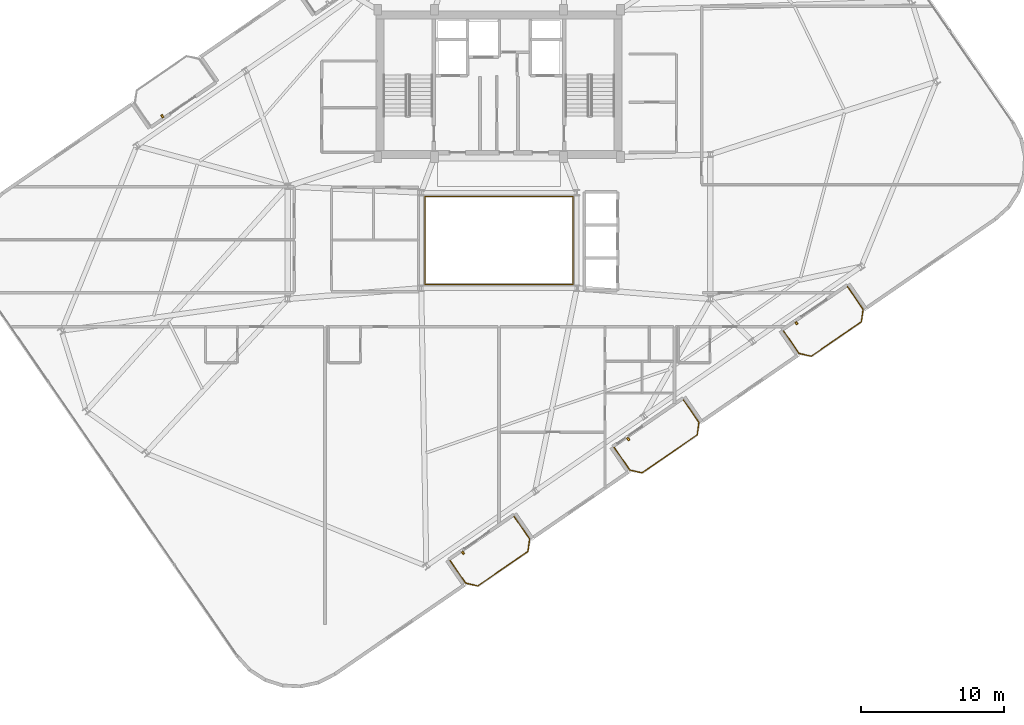
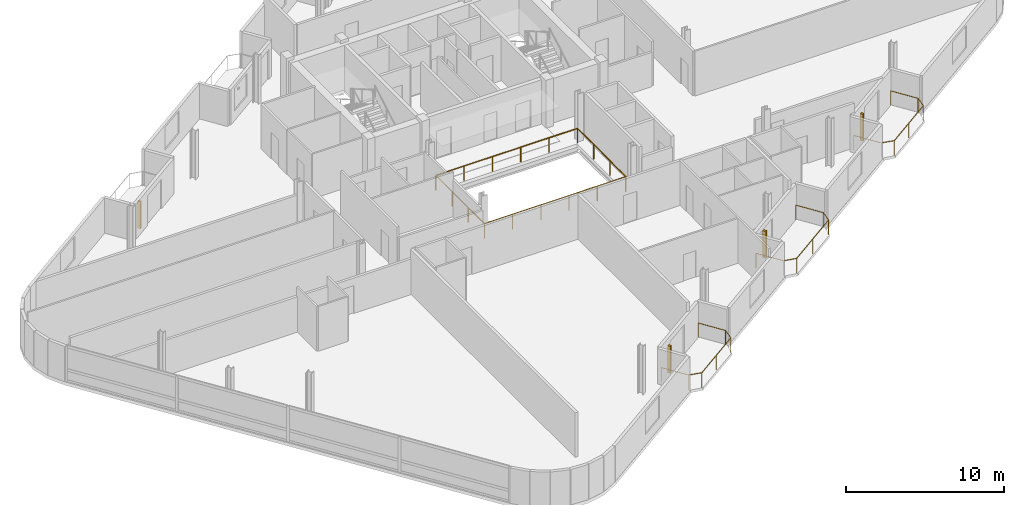
# One storey, part 19 of 21: 5 railings, 4 shading devices.
"""IFC4 building model written with IfcOpenShell, lengths in metres."""

from ifc_helpers import new_model, si_unit, direction, frame, origin, origin_2d, place, context, subcontext, project, spatial, rectangle, circle, extrude, source, transform, mapped, material, type_object, element, save


model = new_model("IFC4")

# Units and contexts
model_context = context("Model", 3, precision=1e-05, world=origin(), true_north=direction((0.0, 1.0)))
body_context = subcontext(model_context, "Body", "Model", "MODEL_VIEW")
ifc_project = project(units=[si_unit("LENGTHUNIT", "METRE"), si_unit("AREAUNIT", "SQUARE_METRE"), si_unit("VOLUMEUNIT", "CUBIC_METRE"), si_unit("PLANEANGLEUNIT", "RADIAN"), si_unit("MASSUNIT", "GRAM", prefix="KILO")], contexts=[model_context])

# Site, building, storey
site_placement = place(None, origin())
site = spatial("IfcSite", under=ifc_project, at=site_placement, CompositionType="ELEMENT")
building_placement = place(site_placement, origin())
building = spatial("IfcBuilding", under=site, at=building_placement, Name="Varnelok Gate Tower", CompositionType="ELEMENT")
storey_placement = place(building_placement, frame((0.0, 0.0, 269.300048828125)))
storey = spatial("IfcBuildingStorey", under=building, at=storey_placement, Name="L69", CompositionType="ELEMENT", Elevation=269.300048828125)

# Railings
ifc_material_1 = material(Name="Tempered Laminated Balustrade Glass", Category="glass")
railing_type_1 = type_object("IfcRailingType", Name="RL-ATR-GUARD1150", PredefinedType="GUARDRAIL", material=ifc_material_1)
railing_1_placement = place(storey_placement, frame((34.02001953125, 25.929931640625, 0.0)))
element("IfcRailing", 1, at=railing_1_placement, inside=storey, type_object=railing_type_1, Name="L69 Internal Atrium South-West Guardrail", PredefinedType="GUARDRAIL", context=body_context, shape_type="SweptSolid", body=[
    extrude(circle(Radius=0.02392578125, at=origin_2d()), frame((0.0, 0.0, 1.1259765625), z_axis=(0.0, -1.0, 0.0), x_axis=(1.0, 0.0, 0.0)), (0.0, 0.0, 1.0), 6.10986328125),
    extrude(circle(Radius=0.02392578125, at=origin_2d()), frame((0.0, -6.10986328125, 1.1259765625), z_axis=(1.0, 0.0, 0.0), x_axis=(0.0, 1.0, 0.0)), (0.0, 0.0, 1.0), 10.31005859375),
    extrude(circle(Radius=0.02099609375, at=origin_2d()), origin(), (0.0, 0.0, 1.0), 1.101806640625),
    extrude(circle(Radius=0.02099609375, at=origin_2d()), frame((0.0, -2.03662109375, 0.0)), (0.0, 0.0, 1.0), 1.101806640625),
    extrude(circle(Radius=0.02099609375, at=origin_2d()), frame((0.0, -4.0732421875, 0.0)), (0.0, 0.0, 1.0), 1.101806640625),
    extrude(circle(Radius=0.02099609375, at=origin_2d()), frame((0.0, -6.10986328125, 0.0)), (0.0, 0.0, 1.0), 1.101806640625),
    extrude(circle(Radius=0.02099609375, at=origin_2d()), frame((2.06201171875, -6.10986328125, 0.0)), (0.0, 0.0, 1.0), 1.101806640625),
    extrude(circle(Radius=0.02099609375, at=origin_2d()), frame((4.1240234375, -6.10986328125, 0.0)), (0.0, 0.0, 1.0), 1.101806640625),
    extrude(circle(Radius=0.02099609375, at=origin_2d()), frame((6.18603515625, -6.10986328125, 0.0)), (0.0, 0.0, 1.0), 1.101806640625),
    extrude(circle(Radius=0.02099609375, at=origin_2d()), frame((8.248046875, -6.10986328125, 0.0)), (0.0, 0.0, 1.0), 1.101806640625),
    extrude(circle(Radius=0.02099609375, at=origin_2d()), frame((10.31005859375, -6.10986328125, 0.0)), (0.0, 0.0, 1.0), 1.101806640625),
])
railing_2_placement = place(storey_placement, frame((44.3798828125, 19.820068359375, 0.0)))
element("IfcRailing", 2, at=railing_2_placement, inside=storey, type_object=railing_type_1, Name="L69 Internal Atrium North-East Guardrail", PredefinedType="GUARDRAIL", context=body_context, shape_type="SweptSolid", body=[
    extrude(circle(Radius=0.02392578125, at=origin_2d()), frame((0.0, 0.0, 1.1259765625), z_axis=(0.0, 1.0, 0.0), x_axis=(-1.0, 0.0, 0.0)), (0.0, 0.0, 1.0), 6.159912109375),
    extrude(circle(Radius=0.02392578125, at=origin_2d()), frame((0.0, 6.159912109375, 1.1259765625), z_axis=(-1.0, 0.0, 0.0), x_axis=(0.0, -1.0, 0.0)), (0.0, 0.0, 1.0), 10.35986328125),
    extrude(circle(Radius=0.02099609375, at=origin_2d()), origin(), (0.0, 0.0, 1.0), 1.101806640625),
    extrude(circle(Radius=0.02099609375, at=origin_2d()), frame((0.0, 2.05322265625, 0.0)), (0.0, 0.0, 1.0), 1.101806640625),
    extrude(circle(Radius=0.02099609375, at=origin_2d()), frame((0.0, 4.106689453125, 0.0)), (0.0, 0.0, 1.0), 1.101806640625),
    extrude(circle(Radius=0.02099609375, at=origin_2d()), frame((0.0, 6.159912109375, 0.0)), (0.0, 0.0, 1.0), 1.101806640625),
    extrude(circle(Radius=0.02099609375, at=origin_2d()), frame((-2.072021484375, 6.159912109375, 0.0)), (0.0, 0.0, 1.0), 1.101806640625),
    extrude(circle(Radius=0.02099609375, at=origin_2d()), frame((-4.14404296875, 6.159912109375, 0.0)), (0.0, 0.0, 1.0), 1.101806640625),
    extrude(circle(Radius=0.02099609375, at=origin_2d()), frame((-6.2158203125, 6.159912109375, 0.0)), (0.0, 0.0, 1.0), 1.101806640625),
    extrude(circle(Radius=0.02099609375, at=origin_2d()), frame((-8.287841796875, 6.159912109375, 0.0)), (0.0, 0.0, 1.0), 1.101806640625),
    extrude(circle(Radius=0.02099609375, at=origin_2d()), frame((-10.35986328125, 6.159912109375, 0.0)), (0.0, 0.0, 1.0), 1.101806640625),
])
ifc_material_2 = material(Name="Low-E Laminated Double Glazing IGU", Category="glass")
railing_type_2 = type_object("IfcRailingType", Name="RL-BALC-1150", PredefinedType="BALUSTRADE", material=ifc_material_2)
railing_3_placement = place(storey_placement, frame((35.77099609375, 0.473876953125, 0.0)))
element("IfcRailing", 3, at=railing_3_placement, inside=storey, type_object=railing_type_2, Name="L69 South Terrace Balustrade 1", PredefinedType="BALUSTRADE", context=body_context, shape_type="SweptSolid", body=[
    extrude(circle(Radius=0.02392578125, at=origin_2d()), frame((0.0, 0.0, 1.1259765625), z_axis=(0.567224752248, -0.823563039747, 0.0), x_axis=(0.823563039747, 0.567224752248, 0.0)), (0.0, 0.0, 1.0), 1.920166015625),
    extrude(circle(Radius=0.02392578125, at=origin_2d()), frame((1.089111328125, -1.581298828125, 1.1259765625), z_axis=(0.973526462254, -0.228574336467, 0.0), x_axis=(0.228574336467, 0.973526462254, 0.0)), (0.0, 0.0, 1.0), 0.8779296875),
    extrude(circle(Radius=0.02392578125, at=origin_2d()), frame((1.94384765625, -1.781982421875, 1.1259765625), z_axis=(0.823512353028, 0.5672983381, 0.0), x_axis=(-0.5672983381, 0.823512353028, 0.0)), (0.0, 0.0, 1.0), 4.26708984375),
    extrude(circle(Radius=0.02392578125, at=origin_2d()), frame((5.457763671875, 0.638671875, 1.1259765625), z_axis=(0.133475040405, 0.991052175008, 0.0), x_axis=(-0.991052175008, 0.133475040405, 0.0)), (0.0, 0.0, 1.0), 0.8779296875),
    extrude(circle(Radius=0.02392578125, at=origin_2d()), frame((5.574951171875, 1.5087890625, 1.1259765625), z_axis=(-0.567284155424, 0.82352212296, 0.0), x_axis=(-0.82352212296, -0.567284155424, 0.0)), (0.0, 0.0, 1.0), 1.919921875),
    extrude(circle(Radius=0.02099609375, at=origin_2d()), origin(), (0.0, 0.0, 1.0), 1.101806640625),
    extrude(circle(Radius=0.02099609375, at=origin_2d()), frame((1.089111328125, -1.581298828125, 0.0)), (0.0, 0.0, 1.0), 1.101806640625),
    extrude(circle(Radius=0.02099609375, at=origin_2d()), frame((1.94384765625, -1.781982421875, 0.0)), (0.0, 0.0, 1.0), 1.101806640625),
    extrude(circle(Radius=0.02099609375, at=origin_2d()), frame((3.70068359375, -0.57177734375, 0.0)), (0.0, 0.0, 1.0), 1.101806640625),
    extrude(circle(Radius=0.02099609375, at=origin_2d()), frame((5.457763671875, 0.638671875, 0.0)), (0.0, 0.0, 1.0), 1.101806640625),
    extrude(circle(Radius=0.02099609375, at=origin_2d()), frame((5.574951171875, 1.5087890625, 0.0)), (0.0, 0.0, 1.0), 1.101806640625),
    extrude(circle(Radius=0.02099609375, at=origin_2d()), frame((4.48583984375, 3.08984375, 0.0)), (0.0, 0.0, 1.0), 1.101806640625),
])
railing_4_placement = place(storey_placement, frame((47.273193359375, 8.39697265625, 0.0)))
element("IfcRailing", 4, at=railing_4_placement, inside=storey, type_object=railing_type_2, Name="L69 South Terrace Balustrade 2", PredefinedType="BALUSTRADE", context=body_context, shape_type="SweptSolid", body=[
    extrude(circle(Radius=0.02392578125, at=origin_2d()), frame((0.0, 0.0, 1.1259765625), z_axis=(0.567224752248, -0.823563039747, 0.0), x_axis=(0.823563039747, 0.567224752248, 0.0)), (0.0, 0.0, 1.0), 1.920166015625),
    extrude(circle(Radius=0.02392578125, at=origin_2d()), frame((1.089111328125, -1.581298828125, 1.1259765625), z_axis=(0.973526462254, -0.228574336467, 0.0), x_axis=(0.228574336467, 0.973526462254, 0.0)), (0.0, 0.0, 1.0), 0.8779296875),
    extrude(circle(Radius=0.02392578125, at=origin_2d()), frame((1.94384765625, -1.781982421875, 1.1259765625), z_axis=(0.823523239622, 0.567282534371, 0.0), x_axis=(-0.567282534371, 0.823523239622, 0.0)), (0.0, 0.0, 1.0), 4.699951171875),
    extrude(circle(Radius=0.02392578125, at=origin_2d()), frame((5.814453125, 0.88427734375, 1.1259765625), z_axis=(0.133511834152, 0.991047218926, 0.0), x_axis=(-0.991047218926, 0.133511834152, 0.0)), (0.0, 0.0, 1.0), 0.877685546875),
    extrude(circle(Radius=0.02392578125, at=origin_2d()), frame((5.931640625, 1.754150390625, 1.1259765625), z_axis=(-0.567224752248, 0.823563039747, 0.0), x_axis=(-0.823563039747, -0.567224752248, 0.0)), (0.0, 0.0, 1.0), 1.920166015625),
    extrude(circle(Radius=0.02099609375, at=origin_2d()), origin(), (0.0, 0.0, 1.0), 1.101806640625),
    extrude(circle(Radius=0.02099609375, at=origin_2d()), frame((1.089111328125, -1.581298828125, 0.0)), (0.0, 0.0, 1.0), 1.101806640625),
    extrude(circle(Radius=0.02099609375, at=origin_2d()), frame((1.94384765625, -1.781982421875, 0.0)), (0.0, 0.0, 1.0), 1.101806640625),
    extrude(circle(Radius=0.02099609375, at=origin_2d()), frame((3.879150390625, -0.44873046875, 0.0)), (0.0, 0.0, 1.0), 1.101806640625),
    extrude(circle(Radius=0.02099609375, at=origin_2d()), frame((5.814453125, 0.88427734375, 0.0)), (0.0, 0.0, 1.0), 1.101806640625),
    extrude(circle(Radius=0.02099609375, at=origin_2d()), frame((5.931640625, 1.754150390625, 0.0)), (0.0, 0.0, 1.0), 1.101806640625),
    extrude(circle(Radius=0.02099609375, at=origin_2d()), frame((4.842529296875, 3.33544921875, 0.0)), (0.0, 0.0, 1.0), 1.101806640625),
])
railing_5_placement = place(storey_placement, frame((59.132080078125, 16.5654296875, 0.0)))
element("IfcRailing", 5, at=railing_5_placement, inside=storey, type_object=railing_type_2, Name="L69 South Terrace Balustrade 3", PredefinedType="BALUSTRADE", context=body_context, shape_type="SweptSolid", body=[
    extrude(circle(Radius=0.02392578125, at=origin_2d()), frame((0.0, 0.0, 1.1259765625), z_axis=(0.567284155424, -0.82352212296, 0.0), x_axis=(0.82352212296, 0.567284155424, 0.0)), (0.0, 0.0, 1.0), 1.919921875),
    extrude(circle(Radius=0.02392578125, at=origin_2d()), frame((1.089111328125, -1.5810546875, 1.1259765625), z_axis=(0.973526462254, -0.228574336467, 0.0), x_axis=(0.228574336467, 0.973526462254, 0.0)), (0.0, 0.0, 1.0), 0.8779296875),
    extrude(circle(Radius=0.02392578125, at=origin_2d()), frame((1.94384765625, -1.78173828125, 1.1259765625), z_axis=(0.823512353028, 0.5672983381, 0.0), x_axis=(-0.5672983381, 0.823512353028, 0.0)), (0.0, 0.0, 1.0), 4.26708984375),
    extrude(circle(Radius=0.02392578125, at=origin_2d()), frame((5.457763671875, 0.638916015625, 1.1259765625), z_axis=(0.133511834152, 0.991047218926, 0.0), x_axis=(-0.991047218926, 0.133511834152, 0.0)), (0.0, 0.0, 1.0), 0.877685546875),
    extrude(circle(Radius=0.02392578125, at=origin_2d()), frame((5.574951171875, 1.5087890625, 1.1259765625), z_axis=(-0.567224752248, 0.823563039747, 0.0), x_axis=(-0.823563039747, -0.567224752248, 0.0)), (0.0, 0.0, 1.0), 1.920166015625),
    extrude(circle(Radius=0.02099609375, at=origin_2d()), origin(), (0.0, 0.0, 1.0), 1.101806640625),
    extrude(circle(Radius=0.02099609375, at=origin_2d()), frame((1.089111328125, -1.5810546875, 0.0)), (0.0, 0.0, 1.0), 1.101806640625),
    extrude(circle(Radius=0.02099609375, at=origin_2d()), frame((1.94384765625, -1.78173828125, 0.0)), (0.0, 0.0, 1.0), 1.101806640625),
    extrude(circle(Radius=0.02099609375, at=origin_2d()), frame((3.70068359375, -0.5712890625, 0.0)), (0.0, 0.0, 1.0), 1.101806640625),
    extrude(circle(Radius=0.02099609375, at=origin_2d()), frame((5.457763671875, 0.638916015625, 0.0)), (0.0, 0.0, 1.0), 1.101806640625),
    extrude(circle(Radius=0.02099609375, at=origin_2d()), frame((5.574951171875, 1.5087890625, 0.0)), (0.0, 0.0, 1.0), 1.101806640625),
    extrude(circle(Radius=0.02099609375, at=origin_2d()), frame((4.48583984375, 3.090087890625, 0.0)), (0.0, 0.0, 1.0), 1.101806640625),
])

# Shading devices
ifc_material_3 = material(Name="Glazed Architectural Terracotta Ceramic", Category="masonry")
shading_device_type = type_object("IfcShadingDeviceType", Name="SHD-TERRA-FIN", PredefinedType="USERDEFINED", material=ifc_material_3)
shared_shape = source(origin(), body_context, "Body", "SweptSolid", [
    extrude(rectangle(XDim=0.139892578125, YDim=0.219970703125, at=origin_2d()), origin(), (0.0, 0.0, 1.0), 2.10009765625),
])
for number, where, z_axis, x_axis, name in (
    (6, (36.67822265625, 1.013671875, 0.099853515625), (0.0, 0.0, 1.0), (0.823532597628, 0.567268949127, 0.0), "L69 Terracotta Ceramic Baguette Sunscreen 1.1"),
    (7, (48.251708984375, 8.98583984375, 0.099853515625), (0.0, 0.0, 1.0), (0.823532597628, 0.567268949127, 0.0), "L69 Terracotta Ceramic Baguette Sunscreen 2.1"),
    (8, (60.039306640625, 17.10546875, 0.099853515625), (0.0, 0.0, 1.0), (0.823532597628, 0.567268949127, 0.0), "L69 Terracotta Ceramic Baguette Sunscreen 3.1"),
    (9, (15.60986328125, 31.599609375, 0.099853515625), (0.0, 0.0, 1.0), (0.823532597628, 0.567268949127, 0.0), "L69 Terracotta Ceramic Baguette Sunscreen 4.1"),
):
    element("IfcShadingDevice", number, at=place(storey_placement, frame(where, z_axis=z_axis, x_axis=x_axis)), inside=storey, type_object=shading_device_type, Name=name, ObjectType="BAGUETTE", PredefinedType="USERDEFINED", context=body_context, shape_type="MappedRepresentation", body=[
        mapped(shared_shape, transform((0.0, 0.0, 0.0), scale=1.0)),
    ])

save(model, "model.ifc")
